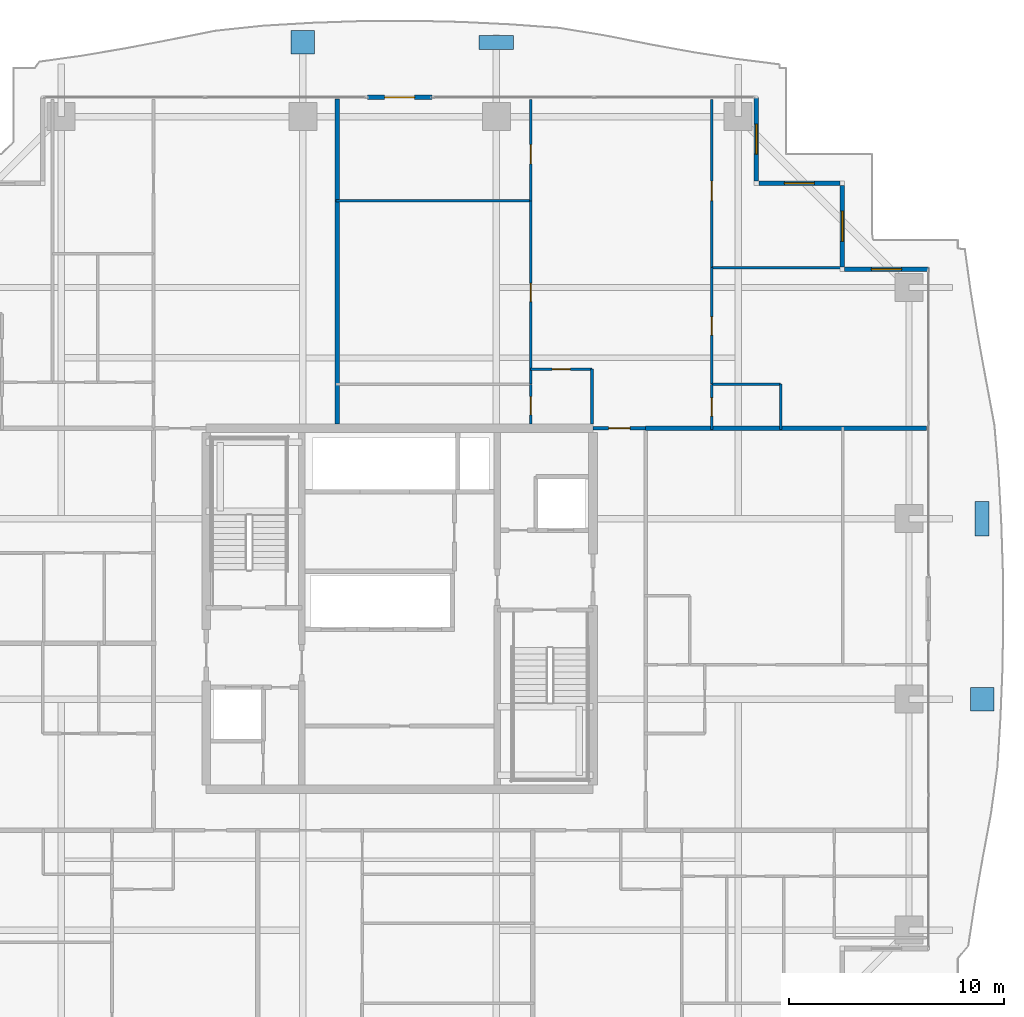
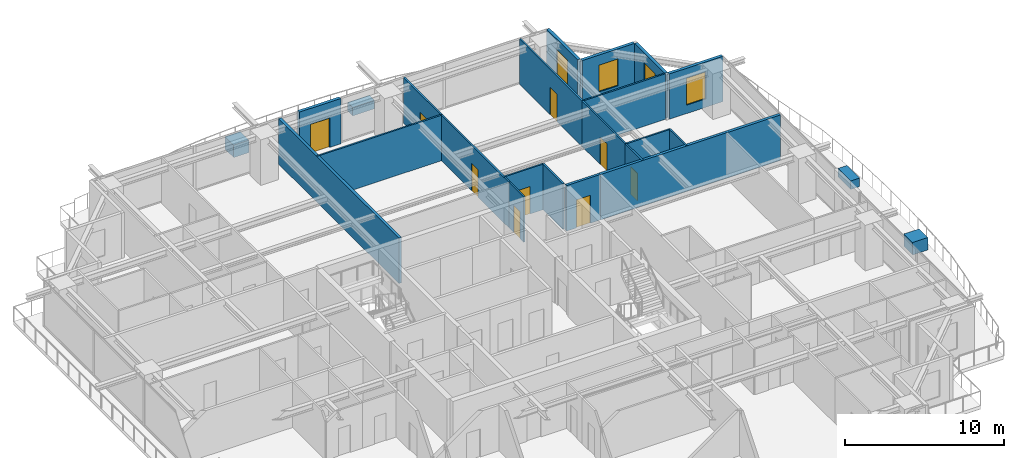
# One storey, part 27 of 33: 20 walls, 9 doors, 4 discrete accessories, 4 windows, 13 openings.
"""IFC4 building model written with IfcOpenShell, lengths in metres."""

from ifc_helpers import new_model, si_unit, direction, frame, frame_2d, origin, origin_2d, place, context, subcontext, project, spatial, rectangle, extrude, source, transform, mapped, material, layer, layer_set, type_object, element, fill, save


model = new_model("IFC4")

# Units and contexts
model_context = context("Model", 3, precision=1e-05, world=origin(), true_north=direction((0.0, 1.0)))
body_context = subcontext(model_context, "Body", "Model", "MODEL_VIEW")
ifc_project = project(units=[si_unit("LENGTHUNIT", "METRE"), si_unit("AREAUNIT", "SQUARE_METRE"), si_unit("VOLUMEUNIT", "CUBIC_METRE"), si_unit("PLANEANGLEUNIT", "RADIAN"), si_unit("MASSUNIT", "GRAM", prefix="KILO")], contexts=[model_context])

# Site, building, storey
site_placement = place(None, origin())
site = spatial("IfcSite", under=ifc_project, at=site_placement, CompositionType="ELEMENT")
building_placement = place(site_placement, origin())
building = spatial("IfcBuilding", under=site, at=building_placement, Name="Serunith Strait Residences", CompositionType="ELEMENT")
storey_placement = place(building_placement, frame((0.0, 0.0, 165.14990234375)))
storey = spatial("IfcBuildingStorey", under=building, at=storey_placement, Name="L41", CompositionType="ELEMENT", Elevation=165.14990234375)

# Wall, opening, window
ifc_material_1 = material(Name="Pale-Champagne Aluminium Insulated Panel", Category="aluminium")
ifc_layer_1 = layer(ifc_material_1, 0.219970703125, Name="Pale-Champagne Aluminium Insulated Panel")
ifc_layer_set_1 = layer_set([ifc_layer_1], Name="Pale-Champagne Aluminium Insulated Panel")
wall_type_1 = type_object("IfcWallType", Name="EW-ALUM-220", PredefinedType="ELEMENTEDWALL", material=ifc_layer_set_1)
wall_1_placement = place(storey_placement, frame((57.0, 41.0, 0.0), z_axis=(0.0, 0.0, 1.0), x_axis=(-1.0, 0.0, 0.0)))
wall_1 = element("IfcWall", 1, at=wall_1_placement, inside=storey, type_object=wall_type_1, Name="L41 Girih Serrated Corner Wall 07", PredefinedType="ELEMENTEDWALL", context=body_context, shape_type="SweptSolid", body=[
    extrude(rectangle(XDim=3.889892578125, YDim=0.219970703125, at=frame_2d((1.94482421875, 0.0))), origin(), (0.0, 0.0, 1.0), 3.47509765625),
])
opening_1_placement = place(wall_1_placement, frame((1.2451171875, 0.0, 0.64990234375)))
opening_1 = element("IfcOpeningElement", 2, at=opening_1_placement, cuts=wall_1, Name="Opening W-03", PredefinedType="OPENING", context=body_context, shape_type="SweptSolid", body=[
    extrude(rectangle(XDim=1.39990234375, YDim=2.050048828125, at=frame_2d((0.699951171875, 1.02490234375))), frame((0.0, 0.1201171875, 0.0), z_axis=(0.0, -1.0, 0.0), x_axis=(1.0, 0.0, 0.0)), (0.0, 0.0, 1.0), 0.239990234375),
])
ifc_material_2 = material(Name="Ceramic-Fritted Operable Aluminium Window Glass", Category="aluminium")
window_type = type_object("IfcWindowType", Name="WIN-C3", PartitioningType="SINGLE_PANEL", PredefinedType="WINDOW", material=ifc_material_2)
shared_shape_1 = source(origin(), body_context, "Body", "SweptSolid", [
    extrude(rectangle(XDim=1.39990234375, YDim=2.050048828125, at=frame_2d((0.699951171875, 1.02490234375))), frame((0.0, 0.030029296875, 0.0), z_axis=(0.0, -1.0, 0.0), x_axis=(1.0, 0.0, 0.0)), (0.0, 0.0, 1.0), 0.06005859375),
])
window_1_placement = place(opening_1_placement, origin())
window_1 = element("IfcWindow", 3, at=window_1_placement, inside=storey, type_object=window_type, Name="L41 Corner Operable Fritted Window 07", OverallHeight=2.050048828125, OverallWidth=1.39990234375, PartitioningType="SINGLE_PANEL", PredefinedType="WINDOW", context=body_context, shape_type="MappedRepresentation", body=[
    mapped(shared_shape_1, transform((0.0, 0.0, 0.0), scale=1.0)),
])
fill(opening_1, window_1)

wall_2_placement = place(storey_placement, frame((53.0, 41.110107421875, 0.0), z_axis=(0.0, 0.0, 1.0), x_axis=(0.0, 1.0, 0.0)))
wall_2 = element("IfcWall", 4, at=wall_2_placement, inside=storey, type_object=wall_type_1, Name="L41 Girih Serrated Corner Wall 08", PredefinedType="ELEMENTEDWALL", context=body_context, shape_type="SweptSolid", body=[
    extrude(rectangle(XDim=3.77978515625, YDim=0.219970703125, at=frame_2d((1.889892578125, 0.0))), origin(), (0.0, 0.0, 1.0), 3.47509765625),
])
opening_2_placement = place(wall_2_placement, frame((1.18994140625, 0.0, 0.64990234375)))
opening_2 = element("IfcOpeningElement", 5, at=opening_2_placement, cuts=wall_2, Name="Opening W-03", PredefinedType="OPENING", context=body_context, shape_type="SweptSolid", body=[
    extrude(rectangle(XDim=1.39990234375, YDim=2.050048828125, at=frame_2d((0.699951171875, 1.02490234375))), frame((0.0, 0.1201171875, 0.0), z_axis=(0.0, -1.0, 0.0), x_axis=(1.0, 0.0, 0.0)), (0.0, 0.0, 1.0), 0.239990234375),
])
window_2_placement = place(opening_2_placement, origin())
window_2 = element("IfcWindow", 6, at=window_2_placement, inside=storey, type_object=window_type, Name="L41 Corner Operable Fritted Window 08", OverallHeight=2.050048828125, OverallWidth=1.39990234375, PartitioningType="SINGLE_PANEL", PredefinedType="WINDOW", context=body_context, shape_type="MappedRepresentation", body=[
    mapped(shared_shape_1, transform((0.0, 0.0, 0.0), scale=1.0)),
])
fill(opening_2, window_2)

wall_3_placement = place(storey_placement, frame((52.889892578125, 45.0, 0.0), z_axis=(0.0, 0.0, 1.0), x_axis=(-1.0, 0.0, 0.0)))
wall_3 = element("IfcWall", 7, at=wall_3_placement, inside=storey, type_object=wall_type_1, Name="L41 Girih Serrated Corner Wall 09", PredefinedType="ELEMENTEDWALL", context=body_context, shape_type="SweptSolid", body=[
    extrude(rectangle(XDim=3.77978515625, YDim=0.219970703125, at=frame_2d((1.889892578125, 0.0))), origin(), (0.0, 0.0, 1.0), 3.47509765625),
])
opening_3_placement = place(wall_3_placement, frame((1.18994140625, 0.0, 0.64990234375)))
opening_3 = element("IfcOpeningElement", 8, at=opening_3_placement, cuts=wall_3, Name="Opening W-03", PredefinedType="OPENING", context=body_context, shape_type="SweptSolid", body=[
    extrude(rectangle(XDim=1.39990234375, YDim=2.050048828125, at=frame_2d((0.699951171875, 1.02490234375))), frame((0.0, 0.1201171875, 0.0), z_axis=(0.0, -1.0, 0.0), x_axis=(1.0, 0.0, 0.0)), (0.0, 0.0, 1.0), 0.239990234375),
])
window_3_placement = place(opening_3_placement, origin())
window_3 = element("IfcWindow", 9, at=window_3_placement, inside=storey, type_object=window_type, Name="L41 Corner Operable Fritted Window 09", OverallHeight=2.050048828125, OverallWidth=1.39990234375, PartitioningType="SINGLE_PANEL", PredefinedType="WINDOW", context=body_context, shape_type="MappedRepresentation", body=[
    mapped(shared_shape_1, transform((0.0, 0.0, 0.0), scale=1.0)),
])
fill(opening_3, window_3)

wall_4_placement = place(storey_placement, frame((49.0, 45.110107421875, 0.0), z_axis=(0.0, 0.0, 1.0), x_axis=(0.0, 1.0, 0.0)))
wall_4 = element("IfcWall", 10, at=wall_4_placement, inside=storey, type_object=wall_type_1, Name="L41 Girih Serrated Corner Wall 10", PredefinedType="ELEMENTEDWALL", context=body_context, shape_type="SweptSolid", body=[
    extrude(rectangle(XDim=3.889892578125, YDim=0.219970703125, at=frame_2d((1.94482421875, 0.0))), origin(), (0.0, 0.0, 1.0), 3.47509765625),
])
opening_4_placement = place(wall_4_placement, frame((1.2451171875, 0.0, 0.64990234375)))
opening_4 = element("IfcOpeningElement", 11, at=opening_4_placement, cuts=wall_4, Name="Opening W-03", PredefinedType="OPENING", context=body_context, shape_type="SweptSolid", body=[
    extrude(rectangle(XDim=1.39990234375, YDim=2.050048828125, at=frame_2d((0.699951171875, 1.02490234375))), frame((0.0, 0.1201171875, 0.0), z_axis=(0.0, -1.0, 0.0), x_axis=(1.0, 0.0, 0.0)), (0.0, 0.0, 1.0), 0.239990234375),
])
window_4_placement = place(opening_4_placement, origin())
window_4 = element("IfcWindow", 12, at=window_4_placement, inside=storey, type_object=window_type, Name="L41 Corner Operable Fritted Window 10", OverallHeight=2.050048828125, OverallWidth=1.39990234375, PartitioningType="SINGLE_PANEL", PredefinedType="WINDOW", context=body_context, shape_type="MappedRepresentation", body=[
    mapped(shared_shape_1, transform((0.0, 0.0, 0.0), scale=1.0)),
])
fill(opening_4, window_4)

# Wall, opening, door
wall_5_placement = place(storey_placement, frame((33.89990234375, 49.0, 0.0), z_axis=(0.0, 0.0, 1.0), x_axis=(-1.0, 0.0, 0.0)))
wall_5 = element("IfcWall", 13, at=wall_5_placement, inside=storey, type_object=wall_type_1, Name="L41 N Facade Pier Wall", PredefinedType="ELEMENTEDWALL", context=body_context, shape_type="SweptSolid", body=[
    extrude(rectangle(XDim=3.0, YDim=0.219970703125, at=frame_2d((1.5, 0.0))), origin(), (0.0, 0.0, 1.0), 3.47509765625),
])
opening_5_placement = place(wall_5_placement, frame((0.800048828125, 0.0, 0.0)))
opening_5 = element("IfcOpeningElement", 14, at=opening_5_placement, cuts=wall_5, Name="Opening ED-04", PredefinedType="OPENING", context=body_context, shape_type="SweptSolid", body=[
    extrude(rectangle(XDim=1.39990234375, YDim=2.25, at=frame_2d((0.699951171875, 1.125))), frame((0.0, 0.1201171875, 0.0), z_axis=(0.0, -1.0, 0.0), x_axis=(1.0, 0.0, 0.0)), (0.0, 0.0, 1.0), 0.239990234375),
])
ifc_material_3 = material(Name="Thermally-Broken Aluminium Sliding Balcony Door", Category="aluminium")
door_type_1 = type_object("IfcDoorType", Name="ED-BALC-1400", OperationType="NOTDEFINED", PredefinedType="DOOR", material=ifc_material_3)
shared_shape_2 = source(origin(), body_context, "Body", "SweptSolid", [
    extrude(rectangle(XDim=1.39990234375, YDim=2.25, at=frame_2d((0.699951171875, 1.125))), frame((0.0, 0.02490234375, 0.0), z_axis=(0.0, -1.0, 0.0), x_axis=(1.0, 0.0, 0.0)), (0.0, 0.0, 1.0), 0.050048828125),
])
door_1_placement = place(opening_5_placement, origin())
door_1 = element("IfcDoor", 15, at=door_1_placement, inside=storey, type_object=door_type_1, Name="L41 N Vertical-Forest Balcony Door", OperationType="SLIDING_TO_LEFT", OverallHeight=2.25, OverallWidth=1.39990234375, PredefinedType="DOOR", context=body_context, shape_type="MappedRepresentation", body=[
    mapped(shared_shape_2, transform((0.0, 0.0, 0.0), scale=1.0)),
])
fill(opening_5, door_1)

ifc_material_4 = material(Name="Fire-rated acoustic gypsum partition")
ifc_layer_2 = layer(ifc_material_4, 0.179931640625, Name="Fire-rated acoustic gypsum partition")
ifc_layer_set_2 = layer_set([ifc_layer_2], Name="Fire-rated acoustic gypsum partition")
wall_type_2 = type_object("IfcWallType", Name="IW-CORR-180", PredefinedType="PARTITIONING", material=ifc_layer_set_2)
wall_6_placement = place(storey_placement, frame((41.402099609375, 33.60009765625, 0.0), z_axis=(0.0, 0.0, 1.0), x_axis=(1.0, 0.0, 0.0)))
wall_6 = element("IfcWall", 16, at=wall_6_placement, inside=storey, type_object=wall_type_2, Name="L41 Partition Wall 027", PredefinedType="PARTITIONING", context=body_context, shape_type="SweptSolid", body=[
    extrude(rectangle(XDim=2.44580078125, YDim=0.179931640625, at=frame_2d((1.222900390625, 0.0))), origin(), (0.0, 0.0, 1.0), 3.489990234375),
])
opening_6_placement = place(wall_6_placement, frame((0.722900390625, 0.0, 0.0)))
opening_6 = element("IfcOpeningElement", 17, at=opening_6_placement, cuts=wall_6, Name="Opening D-APT1000", PredefinedType="OPENING", context=body_context, shape_type="SweptSolid", body=[
    extrude(rectangle(XDim=1.0, YDim=2.14990234375, at=frame_2d((0.5, 1.074951171875))), frame((0.0, 0.10009765625, 0.0), z_axis=(0.0, -1.0, 0.0), x_axis=(1.0, 0.0, 0.0)), (0.0, 0.0, 1.0), 0.199951171875),
])
ifc_material_5 = material(Name="Solid timber engineered fire door", Category="wood")
door_type_2 = type_object("IfcDoorType", Name="ID-APT-1000", OperationType="NOTDEFINED", PredefinedType="DOOR", material=ifc_material_5)
shared_shape_3 = source(origin(), body_context, "Body", "SweptSolid", [
    extrude(rectangle(XDim=1.0, YDim=2.14990234375, at=frame_2d((0.5, 1.074951171875))), frame((0.0, 0.02490234375, 0.0), z_axis=(0.0, -1.0, 0.0), x_axis=(1.0, 0.0, 0.0)), (0.0, 0.0, 1.0), 0.050048828125),
])
door_2_placement = place(opening_6_placement, origin())
door_2 = element("IfcDoor", 18, at=door_2_placement, inside=storey, type_object=door_type_2, Name="L41 Unit 05 Entrance Door", OperationType="SINGLE_SWING_LEFT", OverallHeight=2.14990234375, OverallWidth=1.0, PredefinedType="DOOR", context=body_context, shape_type="MappedRepresentation", body=[
    mapped(shared_shape_3, transform((0.0, 0.0, 0.0), scale=1.0)),
])
fill(opening_6, door_2)

ifc_material_6 = material(Name="Lightweight steel-stud gypsum partition", Category="steel")
ifc_layer_3 = layer(ifc_material_6, 0.1201171875, Name="Lightweight steel-stud gypsum partition")
ifc_layer_set_3 = layer_set([ifc_layer_3], Name="Lightweight steel-stud gypsum partition")
wall_type_3 = type_object("IfcWallType", Name="IW-PART-120", PredefinedType="PARTITIONING", material=ifc_layer_set_3)
wall_7_placement = place(storey_placement, frame((38.5, 36.35009765625, 0.0), z_axis=(0.0, 0.0, 1.0), x_axis=(1.0, 0.0, 0.0)))
wall_7 = element("IfcWall", 19, at=wall_7_placement, inside=storey, type_object=wall_type_3, Name="L41 Partition Wall 072", PredefinedType="PARTITIONING", context=body_context, shape_type="SweptSolid", body=[
    extrude(rectangle(XDim=2.85009765625, YDim=0.1201171875, at=frame_2d((1.425048828125, 0.0))), origin(), (0.0, 0.0, 1.0), 3.489990234375),
])
opening_7_placement = place(wall_7_placement, frame((1.0, 0.0, 0.0)))
opening_7 = element("IfcOpeningElement", 20, at=opening_7_placement, cuts=wall_7, Name="Opening D-RM850", PredefinedType="OPENING", context=body_context, shape_type="SweptSolid", body=[
    extrude(rectangle(XDim=0.85009765625, YDim=2.10009765625, at=frame_2d((0.425048828125, 1.050048828125))), frame((0.0, 0.070068359375, 0.0), z_axis=(0.0, -1.0, 0.0), x_axis=(1.0, 0.0, 0.0)), (0.0, 0.0, 1.0), 0.14013671875),
])
ifc_material_7 = material(Name="Engineered timber flush study and kitchen door", Category="wood")
door_type_3 = type_object("IfcDoorType", Name="ID-ROOM-850", OperationType="NOTDEFINED", PredefinedType="DOOR", material=ifc_material_7)
shared_shape_4 = source(origin(), body_context, "Body", "SweptSolid", [
    extrude(rectangle(XDim=0.85009765625, YDim=2.10009765625, at=frame_2d((0.425048828125, 1.050048828125))), frame((0.0, 0.02490234375, 0.0), z_axis=(0.0, -1.0, 0.0), x_axis=(1.0, 0.0, 0.0)), (0.0, 0.0, 1.0), 0.050048828125),
])
door_3_placement = place(opening_7_placement, origin())
door_3 = element("IfcDoor", 21, at=door_3_placement, inside=storey, type_object=door_type_3, Name="L41 Kitchen 4105 Door", OperationType="SINGLE_SWING_LEFT", OverallHeight=2.10009765625, OverallWidth=0.85009765625, PredefinedType="DOOR", context=body_context, shape_type="MappedRepresentation", body=[
    mapped(shared_shape_4, transform((0.0, 0.0, 0.0), scale=1.0)),
])
fill(opening_7, door_3)

# Wall
wall_8_placement = place(storey_placement, frame((41.35009765625, 36.35009765625, 0.0), z_axis=(0.0, 0.0, 1.0), x_axis=(0.0, -1.0, 0.0)))
element("IfcWall", 22, at=wall_8_placement, inside=storey, type_object=wall_type_3, Name="L41 Partition Wall 073", PredefinedType="PARTITIONING", context=body_context, shape_type="SweptSolid", body=[
    extrude(rectangle(XDim=2.550048828125, YDim=0.1201171875, at=frame_2d((1.27490234375, 0.0))), origin(), (0.0, 0.0, 1.0), 3.489990234375),
])

# Wall, opening, door
wall_9_placement = place(storey_placement, frame((38.5, 48.905029296875, 0.0), z_axis=(0.0, 0.0, 1.0), x_axis=(0.0, -1.0, 0.0)))
wall_9 = element("IfcWall", 23, at=wall_9_placement, inside=storey, type_object=wall_type_3, Name="L41 Partition Wall 074", PredefinedType="PARTITIONING", context=body_context, shape_type="SweptSolid", body=[
    extrude(rectangle(XDim=4.72509765625, YDim=0.1201171875, at=frame_2d((2.362548828125, 0.0))), origin(), (0.0, 0.0, 1.0), 3.489990234375),
])
opening_8_placement = place(wall_9_placement, frame((2.10400390625, 0.0, 0.0)))
opening_8 = element("IfcOpeningElement", 24, at=opening_8_placement, cuts=wall_9, Name="Opening D-RM900", PredefinedType="OPENING", context=body_context, shape_type="SweptSolid", body=[
    extrude(rectangle(XDim=0.89990234375, YDim=2.10009765625, at=frame_2d((0.449951171875, 1.050048828125))), frame((0.0, 0.070068359375, 0.0), z_axis=(0.0, -1.0, 0.0), x_axis=(1.0, 0.0, 0.0)), (0.0, 0.0, 1.0), 0.14013671875),
])
ifc_material_8 = material(Name="Engineered timber flush bedroom door", Category="wood")
door_type_4 = type_object("IfcDoorType", Name="ID-ROOM-900", OperationType="NOTDEFINED", PredefinedType="DOOR", material=ifc_material_8)
shared_shape_5 = source(origin(), body_context, "Body", "SweptSolid", [
    extrude(rectangle(XDim=0.89990234375, YDim=2.10009765625, at=frame_2d((0.449951171875, 1.050048828125))), frame((0.0, 0.02490234375, 0.0), z_axis=(0.0, -1.0, 0.0), x_axis=(1.0, 0.0, 0.0)), (0.0, 0.0, 1.0), 0.050048828125),
])
door_4_placement = place(opening_8_placement, origin())
door_4 = element("IfcDoor", 25, at=door_4_placement, inside=storey, type_object=door_type_4, Name="L41 Master Bedroom 1 4105 Door", OperationType="SINGLE_SWING_RIGHT", OverallHeight=2.10009765625, OverallWidth=0.89990234375, PredefinedType="DOOR", context=body_context, shape_type="MappedRepresentation", body=[
    mapped(shared_shape_5, transform((0.0, 0.0, 0.0), scale=1.0)),
])
fill(opening_8, door_4)

# Wall
wall_10_placement = place(storey_placement, frame((29.43994140625, 44.179931640625, 0.0), z_axis=(0.0, 0.0, 1.0), x_axis=(1.0, 0.0, 0.0)))
element("IfcWall", 26, at=wall_10_placement, inside=storey, type_object=wall_type_3, Name="L41 Partition Wall 075", PredefinedType="PARTITIONING", context=body_context, shape_type="SweptSolid", body=[
    extrude(rectangle(XDim=9.06005859375, YDim=0.1201171875, at=frame_2d((4.530029296875, 0.0))), origin(), (0.0, 0.0, 1.0), 3.489990234375),
])

# Wall, opening, door
wall_11_placement = place(storey_placement, frame((38.5, 44.177978515625, 0.0), z_axis=(0.0, 0.0, 1.0), x_axis=(0.0, -1.0, 0.0)))
wall_11 = element("IfcWall", 27, at=wall_11_placement, inside=storey, type_object=wall_type_3, Name="L41 Partition Wall 077", PredefinedType="PARTITIONING", context=body_context, shape_type="SweptSolid", body=[
    extrude(rectangle(XDim=8.528076171875, YDim=0.1201171875, at=frame_2d((4.26416015625, 0.0))), origin(), (0.0, 0.0, 1.0), 3.489990234375),
])
opening_9_placement = place(wall_11_placement, frame((3.839111328125, 0.0, 0.0)))
opening_9 = element("IfcOpeningElement", 28, at=opening_9_placement, cuts=wall_11, Name="Opening D-RM850", PredefinedType="OPENING", context=body_context, shape_type="SweptSolid", body=[
    extrude(rectangle(XDim=0.85009765625, YDim=2.10009765625, at=frame_2d((0.425048828125, 1.050048828125))), frame((0.0, 0.070068359375, 0.0), z_axis=(0.0, -1.0, 0.0), x_axis=(1.0, 0.0, 0.0)), (0.0, 0.0, 1.0), 0.14013671875),
])
door_5_placement = place(opening_9_placement, origin())
door_5 = element("IfcDoor", 29, at=door_5_placement, inside=storey, type_object=door_type_3, Name="L41 Walk-in Wardrobe 4105 Door", OperationType="SINGLE_SWING_LEFT", OverallHeight=2.10009765625, OverallWidth=0.85009765625, PredefinedType="DOOR", context=body_context, shape_type="MappedRepresentation", body=[
    mapped(shared_shape_4, transform((0.0, 0.0, 0.0), scale=1.0)),
])
fill(opening_9, door_5)

wall_12_placement = place(storey_placement, frame((38.5, 35.64794921875, 0.0), z_axis=(0.0, 0.0, 1.0), x_axis=(0.0, -1.0, 0.0)))
wall_12 = element("IfcWall", 30, at=wall_12_placement, inside=storey, type_object=wall_type_3, Name="L41 Partition Wall 078", PredefinedType="PARTITIONING", context=body_context, shape_type="SweptSolid", body=[
    extrude(rectangle(XDim=1.847900390625, YDim=0.1201171875, at=frame_2d((0.923828125, 0.0))), origin(), (0.0, 0.0, 1.0), 3.489990234375),
])
opening_10_placement = place(wall_12_placement, frame((0.569091796875, 0.0, 0.0)))
opening_10 = element("IfcOpeningElement", 31, at=opening_10_placement, cuts=wall_12, Name="Opening D-BTH850", PredefinedType="OPENING", context=body_context, shape_type="SweptSolid", body=[
    extrude(rectangle(XDim=0.85009765625, YDim=2.10009765625, at=frame_2d((0.425048828125, 1.050048828125))), frame((0.0, 0.070068359375, 0.0), z_axis=(0.0, -1.0, 0.0), x_axis=(1.0, 0.0, 0.0)), (0.0, 0.0, 1.0), 0.14013671875),
])
ifc_material_9 = material(Name="Moisture-resistant timber bathroom door", Category="wood")
door_type_5 = type_object("IfcDoorType", Name="ID-BATH-850", OperationType="NOTDEFINED", PredefinedType="DOOR", material=ifc_material_9)
door_6_placement = place(opening_10_placement, origin())
door_6 = element("IfcDoor", 32, at=door_6_placement, inside=storey, type_object=door_type_5, Name="L41 Bathroom 4105 Door", OperationType="SINGLE_SWING_RIGHT", OverallHeight=2.10009765625, OverallWidth=0.85009765625, PredefinedType="DOOR", context=body_context, shape_type="MappedRepresentation", body=[
    mapped(shared_shape_4, transform((0.0, 0.0, 0.0), scale=1.0)),
])
fill(opening_10, door_6)

wall_13_placement = place(storey_placement, frame((46.929931640625, 48.905029296875, 0.0), z_axis=(0.0, 0.0, 1.0), x_axis=(0.0, -1.0, 0.0)))
wall_13 = element("IfcWall", 33, at=wall_13_placement, inside=storey, type_object=wall_type_3, Name="L41 Partition Wall 079", PredefinedType="PARTITIONING", context=body_context, shape_type="SweptSolid", body=[
    extrude(rectangle(XDim=7.830078125, YDim=0.1201171875, at=frame_2d((3.9150390625, 0.0))), origin(), (0.0, 0.0, 1.0), 3.489990234375),
])
opening_11_placement = place(wall_13_placement, frame((3.81103515625, 0.0, 0.0)))
opening_11 = element("IfcOpeningElement", 34, at=opening_11_placement, cuts=wall_13, Name="Opening D-RM900", PredefinedType="OPENING", context=body_context, shape_type="SweptSolid", body=[
    extrude(rectangle(XDim=0.89990234375, YDim=2.10009765625, at=frame_2d((0.449951171875, 1.050048828125))), frame((0.0, 0.070068359375, 0.0), z_axis=(0.0, -1.0, 0.0), x_axis=(1.0, 0.0, 0.0)), (0.0, 0.0, 1.0), 0.14013671875),
])
door_7_placement = place(opening_11_placement, origin())
door_7 = element("IfcDoor", 35, at=door_7_placement, inside=storey, type_object=door_type_4, Name="L41 Bedroom 2 4105 Door", OperationType="SINGLE_SWING_LEFT", OverallHeight=2.10009765625, OverallWidth=0.89990234375, PredefinedType="DOOR", context=body_context, shape_type="MappedRepresentation", body=[
    mapped(shared_shape_5, transform((0.0, 0.0, 0.0), scale=1.0)),
])
fill(opening_11, door_7)

# Walls
wall_14_placement = place(storey_placement, frame((46.929931640625, 41.074951171875, 0.0), z_axis=(0.0, 0.0, 1.0), x_axis=(1.0, 0.0, 0.0)))
element("IfcWall", 36, at=wall_14_placement, inside=storey, type_object=wall_type_3, Name="L41 Partition Wall 080", PredefinedType="PARTITIONING", context=body_context, shape_type="SweptSolid", body=[
    extrude(rectangle(XDim=5.97509765625, YDim=0.1201171875, at=frame_2d((2.987548828125, 0.0))), origin(), (0.0, 0.0, 1.0), 3.489990234375),
])
wall_15_placement = place(storey_placement, frame((46.929931640625, 35.64990234375, 0.0), z_axis=(0.0, 0.0, 1.0), x_axis=(1.0, 0.0, 0.0)))
element("IfcWall", 37, at=wall_15_placement, inside=storey, type_object=wall_type_3, Name="L41 Partition Wall 081", PredefinedType="PARTITIONING", context=body_context, shape_type="SweptSolid", body=[
    extrude(rectangle(XDim=3.199951171875, YDim=0.1201171875, at=frame_2d((1.60009765625, 0.0))), origin(), (0.0, 0.0, 1.0), 3.489990234375),
])
wall_16_placement = place(storey_placement, frame((50.1298828125, 35.64990234375, 0.0), z_axis=(0.0, 0.0, 1.0), x_axis=(0.0, -1.0, 0.0)))
element("IfcWall", 38, at=wall_16_placement, inside=storey, type_object=wall_type_3, Name="L41 Partition Wall 082", PredefinedType="PARTITIONING", context=body_context, shape_type="SweptSolid", body=[
    extrude(rectangle(XDim=2.10986328125, YDim=0.1201171875, at=frame_2d((1.054931640625, 0.0))), origin(), (0.0, 0.0, 1.0), 3.489990234375),
])

# Wall, opening, door
wall_17_placement = place(storey_placement, frame((46.929931640625, 41.072998046875, 0.0), z_axis=(0.0, 0.0, 1.0), x_axis=(0.0, -1.0, 0.0)))
wall_17 = element("IfcWall", 39, at=wall_17_placement, inside=storey, type_object=wall_type_3, Name="L41 Partition Wall 083", PredefinedType="PARTITIONING", context=body_context, shape_type="SweptSolid", body=[
    extrude(rectangle(XDim=5.423095703125, YDim=0.1201171875, at=frame_2d((2.71142578125, 0.0))), origin(), (0.0, 0.0, 1.0), 3.489990234375),
])
opening_12_placement = place(wall_17_placement, frame((2.287109375, 0.0, 0.0)))
opening_12 = element("IfcOpeningElement", 40, at=opening_12_placement, cuts=wall_17, Name="Opening D-RM850", PredefinedType="OPENING", context=body_context, shape_type="SweptSolid", body=[
    extrude(rectangle(XDim=0.85009765625, YDim=2.10009765625, at=frame_2d((0.425048828125, 1.050048828125))), frame((0.0, 0.070068359375, 0.0), z_axis=(0.0, -1.0, 0.0), x_axis=(1.0, 0.0, 0.0)), (0.0, 0.0, 1.0), 0.14013671875),
])
door_8_placement = place(opening_12_placement, origin())
door_8 = element("IfcDoor", 41, at=door_8_placement, inside=storey, type_object=door_type_3, Name="L41 Walk-in Wardrobe 4105 Door", OperationType="SINGLE_SWING_RIGHT", OverallHeight=2.10009765625, OverallWidth=0.85009765625, PredefinedType="DOOR", context=body_context, shape_type="MappedRepresentation", body=[
    mapped(shared_shape_4, transform((0.0, 0.0, 0.0), scale=1.0)),
])
fill(opening_12, door_8)

wall_18_placement = place(storey_placement, frame((46.929931640625, 35.64794921875, 0.0), z_axis=(0.0, 0.0, 1.0), x_axis=(0.0, -1.0, 0.0)))
wall_18 = element("IfcWall", 42, at=wall_18_placement, inside=storey, type_object=wall_type_3, Name="L41 Partition Wall 084", PredefinedType="PARTITIONING", context=body_context, shape_type="SweptSolid", body=[
    extrude(rectangle(XDim=2.10791015625, YDim=0.1201171875, at=frame_2d((1.053955078125, 0.0))), origin(), (0.0, 0.0, 1.0), 3.489990234375),
])
opening_13_placement = place(wall_18_placement, frame((0.62890625, 0.0, 0.0)))
opening_13 = element("IfcOpeningElement", 43, at=opening_13_placement, cuts=wall_18, Name="Opening D-BTH850", PredefinedType="OPENING", context=body_context, shape_type="SweptSolid", body=[
    extrude(rectangle(XDim=0.85009765625, YDim=2.10009765625, at=frame_2d((0.425048828125, 1.050048828125))), frame((0.0, 0.070068359375, 0.0), z_axis=(0.0, -1.0, 0.0), x_axis=(1.0, 0.0, 0.0)), (0.0, 0.0, 1.0), 0.14013671875),
])
door_9_placement = place(opening_13_placement, origin())
door_9 = element("IfcDoor", 44, at=door_9_placement, inside=storey, type_object=door_type_5, Name="L41 Bathroom 4105 Door", OperationType="SINGLE_SWING_LEFT", OverallHeight=2.10009765625, OverallWidth=0.85009765625, PredefinedType="DOOR", context=body_context, shape_type="MappedRepresentation", body=[
    mapped(shared_shape_4, transform((0.0, 0.0, 0.0), scale=1.0)),
])
fill(opening_13, door_9)

# Walls
ifc_material_10 = material(Name="Twin-stud acoustic gypsum board partition")
ifc_layer_4 = layer(ifc_material_10, 0.199951171875, Name="Twin-stud acoustic gypsum board partition")
ifc_layer_set_4 = layer_set([ifc_layer_4], Name="Twin-stud acoustic gypsum board partition")
wall_type_4 = type_object("IfcWallType", Name="IW-PARTY-200", PredefinedType="PARTITIONING", material=ifc_layer_set_4)
wall_19_placement = place(storey_placement, frame((29.5, 33.800048828125, 0.0), z_axis=(0.0, 0.0, 1.0), x_axis=(0.0, 1.0, 0.0)))
element("IfcWall", 45, at=wall_19_placement, inside=storey, type_object=wall_type_4, Name="L41 Partition Wall 017", PredefinedType="PARTITIONING", context=body_context, shape_type="SweptSolid", body=[
    extrude(rectangle(XDim=15.117919921875, YDim=0.199951171875, at=frame_2d((7.55908203125, 0.0))), origin(), (0.0, 0.0, 1.0), 3.489990234375),
])
wall_20_placement = place(storey_placement, frame((43.85009765625, 33.60009765625, 0.0), z_axis=(0.0, 0.0, 1.0), x_axis=(1.0, 0.0, 0.0)))
element("IfcWall", 46, at=wall_20_placement, inside=storey, type_object=wall_type_4, Name="L41 Partition Wall 022", PredefinedType="PARTITIONING", context=body_context, shape_type="SweptSolid", body=[
    extrude(rectangle(XDim=13.06787109375, YDim=0.199951171875, at=frame_2d((6.533935546875, 0.0))), origin(), (0.0, 0.0, 1.0), 3.489990234375),
])

# Discrete accessories
ifc_material_11 = material(Name="GFRC Root-Anchored Structural Planter")
discrete_accessory_type_1 = type_object("IfcDiscreteAccessoryType", Name="ACC-PLANTER-TREE", PredefinedType="USERDEFINED", material=ifc_material_11)
shared_shape_6 = source(origin(), body_context, "Body", "SweptSolid", [
    extrude(rectangle(XDim=1.10009765625, YDim=1.10009765625, at=origin_2d()), origin(), (0.0, 0.0, 1.0), 0.949951171875),
])
for number, where, z_axis, x_axis, name in (
    (47, (27.89990234375, 51.553466796875, -0.0498046875), (0.0, 0.0, 1.0), (-1.0, 0.0, 0.0), "L41 Vertical-Forest Tree Planter 06"),
    (48, (59.500732421875, 21.0, -0.0498046875), (0.0, 0.0, 1.0), (0.0, 1.0, 0.0), "L41 Vertical-Forest Tree Planter 10"),
):
    element("IfcDiscreteAccessory", number, at=place(storey_placement, frame(where, z_axis=z_axis, x_axis=x_axis)), inside=storey, type_object=discrete_accessory_type_1, Name=name, ObjectType="PLANTER", PredefinedType="USERDEFINED", context=body_context, shape_type="MappedRepresentation", body=[
        mapped(shared_shape_6, transform((0.0, 0.0, 0.0), scale=1.0)),
    ])
ifc_material_12 = material(Name="GFRC Irrigated Shrub Trough Planter")
discrete_accessory_type_2 = type_object("IfcDiscreteAccessoryType", Name="ACC-PLANTER-SHRUB", PredefinedType="USERDEFINED", material=ifc_material_12)
shared_shape_7 = source(origin(), body_context, "Body", "SweptSolid", [
    extrude(rectangle(XDim=1.60009765625, YDim=0.64990234375, at=origin_2d()), origin(), (0.0, 0.0, 1.0), 0.64990234375),
])
for number, where, z_axis, x_axis, name in (
    (49, (36.89990234375, 51.53857421875, -0.0498046875), (0.0, 0.0, 1.0), (-1.0, 0.0, 0.0), "L41 Vertical-Forest Shrub Planter 07"),
    (50, (59.49365234375, 29.39990234375, -0.0498046875), (0.0, 0.0, 1.0), (0.0, 1.0, 0.0), "L41 Vertical-Forest Shrub Planter 11"),
):
    element("IfcDiscreteAccessory", number, at=place(storey_placement, frame(where, z_axis=z_axis, x_axis=x_axis)), inside=storey, type_object=discrete_accessory_type_2, Name=name, ObjectType="PLANTER", PredefinedType="USERDEFINED", context=body_context, shape_type="MappedRepresentation", body=[
        mapped(shared_shape_7, transform((0.0, 0.0, 0.0), scale=1.0)),
    ])

save(model, "model.ifc")
